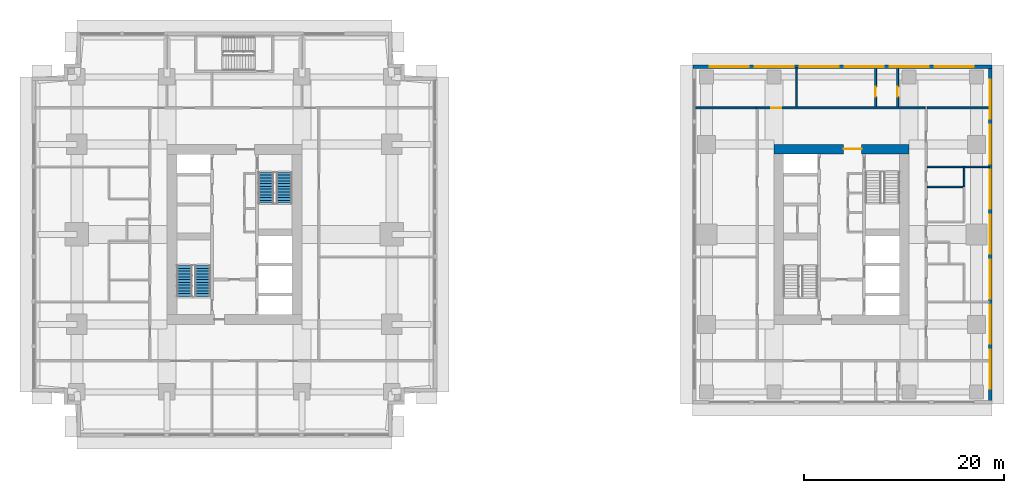
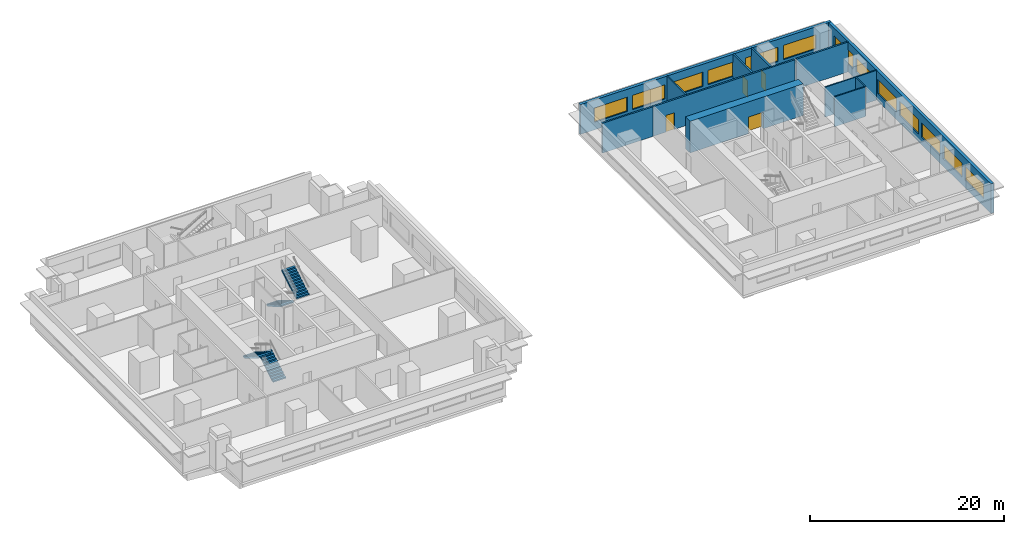
# One storey, part 8 of 11: 13 windows, 12 walls, 4 doors, 4 stair flights, 17 openings, 2 elements without a shape of their own.
"""IFC4 building model written with IfcOpenShell, lengths in metres."""

from ifc_helpers import new_model, si_unit, direction, frame, frame_2d, origin, place, context, subcontext, project, spatial, polyline, rectangle, outline, extrude, material, layer, layer_set, type_object, element, fill, aggregate, save


model = new_model("IFC4")

# Units and contexts
model_context = context("Model", 3, precision=1e-05, world=origin(), true_north=direction((0.0, 1.0)))
body_context = subcontext(model_context, "Body", "Model", "MODEL_VIEW")
ifc_project = project(units=[si_unit("LENGTHUNIT", "METRE"), si_unit("AREAUNIT", "SQUARE_METRE"), si_unit("VOLUMEUNIT", "CUBIC_METRE"), si_unit("PLANEANGLEUNIT", "RADIAN"), si_unit("MASSUNIT", "GRAM", prefix="KILO")], contexts=[model_context])

# Site, building, storey
site_placement = place(None, origin())
site = spatial("IfcSite", under=ifc_project, at=site_placement, CompositionType="ELEMENT")
building_placement = place(site_placement, origin())
building = spatial("IfcBuilding", under=site, at=building_placement, Name="Namib Vertical Campus", CompositionType="ELEMENT")
storey_placement = place(building_placement, frame((0.0, 0.0, 197.0)))
storey = spatial("IfcBuildingStorey", under=building, at=storey_placement, Name="L46", CompositionType="ELEMENT", Elevation=197.0)

# Wall, opening, door
ifc_material_1 = material(Name="Concrete C60/75", Category="concrete")
ifc_layer_1 = layer(ifc_material_1, 0.949951171875)
ifc_layer_set_1 = layer_set([ifc_layer_1], Name="Concrete C60/75")
wall_type_1 = type_object("IfcWallType", Name="Core wall 950", PredefinedType="SHEAR", material=ifc_layer_set_1)
wall_1_placement = place(storey_placement, frame((87.75, 28.77490234375, 0.0), z_axis=(0.0, 0.0, 1.0), x_axis=(-1.0, 0.0, 0.0)))
wall_1 = element("IfcWall", 1, at=wall_1_placement, inside=storey, type_object=wall_type_1, Name="Core wall B L46 3", PredefinedType="SHEAR", context=body_context, shape_type="SweptSolid", body=[
    extrude(rectangle(XDim=13.5, YDim=0.949951171875, at=frame_2d((6.75, 0.0))), origin(), (0.0, 0.0, 1.0), 4.0),
])
opening_1_placement = place(wall_1_placement, frame((4.75, 0.0, 0.0)))
opening_1 = element("IfcOpeningElement", 2, at=opening_1_placement, cuts=wall_1, Name="Opening FD2", PredefinedType="OPENING", context=body_context, shape_type="SweptSolid", body=[
    extrude(rectangle(XDim=1.800048828125, YDim=2.10009765625, at=frame_2d((0.89990234375, 1.050048828125))), frame((0.0, 0.48486328125, 0.0), z_axis=(0.0, -1.0, 0.0), x_axis=(1.0, 0.0, 0.0)), (0.0, 0.0, 1.0), 0.969970703125),
])
ifc_material_2 = material(Name="Steel fire door", Category="steel")
door_type_1 = type_object("IfcDoorType", Name="Fire door double 1800x2100", OperationType="DOUBLE_DOOR_SINGLE_SWING", PredefinedType="DOOR", material=ifc_material_2)
door_1_placement = place(opening_1_placement, origin())
door_1 = element("IfcDoor", 3, at=door_1_placement, inside=storey, type_object=door_type_1, Name="Lift lobby door FD2 B L46", OperationType="DOUBLE_DOOR_SINGLE_SWING", OverallHeight=2.10009765625, OverallWidth=1.800048828125, PredefinedType="DOOR", context=body_context, shape_type="SweptSolid", body=[
    extrude(rectangle(XDim=1.800048828125, YDim=2.10009765625, at=frame_2d((0.89990234375, 1.050048828125))), frame((0.0, 0.02490234375, 0.0), z_axis=(0.0, -1.0, 0.0), x_axis=(1.0, 0.0, 0.0)), (0.0, 0.0, 1.0), 0.050048828125),
])
fill(opening_1, door_1)

ifc_material_3 = material(Name="Concrete masonry", Category="masonry")
ifc_layer_2 = layer(ifc_material_3, 0.199951171875)
ifc_layer_set_2 = layer_set([ifc_layer_2], Name="Corridor wall 200")
wall_type_2 = type_object("IfcWallType", Name="Corridor wall 200", PredefinedType="SOLIDWALL", material=ifc_layer_set_2)
wall_2_placement = place(storey_placement, frame((89.35009765625, 32.89990234375, 0.0), z_axis=(0.0, 0.0, 1.0), x_axis=(-1.0, 0.0, 0.0)))
wall_2 = element("IfcWall", 4, at=wall_2_placement, inside=storey, type_object=wall_type_2, Name="Corridor wall B L46 CN", PredefinedType="SOLIDWALL", context=body_context, shape_type="SweptSolid", body=[
    extrude(rectangle(XDim=16.900146484375, YDim=0.199951171875, at=frame_2d((8.4501953125, 0.0))), origin(), (0.0, 0.0, 1.0), 3.75),
])
opening_2_placement = place(wall_2_placement, frame((14.375, 0.0, 0.0)))
opening_2 = element("IfcOpeningElement", 5, at=opening_2_placement, cuts=wall_2, Name="Opening CD1", PredefinedType="OPENING", context=body_context, shape_type="SweptSolid", body=[
    extrude(rectangle(XDim=1.0, YDim=2.10009765625, at=frame_2d((0.5, 1.050048828125))), frame((0.0, 0.10986328125, 0.0), z_axis=(0.0, -1.0, 0.0), x_axis=(1.0, 0.0, 0.0)), (0.0, 0.0, 1.0), 0.219970703125),
])
ifc_material_4 = material(Name="Timber fire door leaf", Category="wood")
door_type_2 = type_object("IfcDoorType", Name="Corridor door 1000x2100 20 min", OperationType="SINGLE_SWING_LEFT", PredefinedType="DOOR", material=ifc_material_4)
door_2_placement = place(opening_2_placement, frame((1.0, 0.0, 0.0), z_axis=(0.0, 0.0, 1.0), x_axis=(-1.0, 0.0, 0.0)))
door_2 = element("IfcDoor", 6, at=door_2_placement, inside=storey, type_object=door_type_2, Name="Door CD1 B46-11", OperationType="SINGLE_SWING_RIGHT", OverallHeight=2.10009765625, OverallWidth=1.0, PredefinedType="DOOR", context=body_context, shape_type="SweptSolid", body=[
    extrude(rectangle(XDim=1.0, YDim=2.10009765625, at=frame_2d((0.5, 1.050048828125))), frame((0.0, 0.02490234375, 0.0), z_axis=(0.0, -1.0, 0.0), x_axis=(1.0, 0.0, 0.0)), (0.0, 0.0, 1.0), 0.050048828125),
])
fill(opening_2, door_2)

wall_3_placement = place(storey_placement, frame((84.39990234375, 33.0, 0.0), z_axis=(0.0, 0.0, 1.0), x_axis=(0.0, 1.0, 0.0)))
wall_3 = element("IfcWall", 7, at=wall_3_placement, inside=storey, type_object=wall_type_2, Name="Corridor wall B L46 SPN1", PredefinedType="SOLIDWALL", context=body_context, shape_type="SweptSolid", body=[
    extrude(rectangle(XDim=3.89990234375, YDim=0.199951171875, at=frame_2d((1.949951171875, 0.0))), origin(), (0.0, 0.0, 1.0), 3.75),
])
opening_3_placement = place(wall_3_placement, frame((1.0, 0.0, 0.0)))
opening_3 = element("IfcOpeningElement", 8, at=opening_3_placement, cuts=wall_3, Name="Opening CD1", PredefinedType="OPENING", context=body_context, shape_type="SweptSolid", body=[
    extrude(rectangle(XDim=1.0, YDim=2.10009765625, at=frame_2d((0.5, 1.050048828125))), frame((0.0, 0.10986328125, 0.0), z_axis=(0.0, -1.0, 0.0), x_axis=(1.0, 0.0, 0.0)), (0.0, 0.0, 1.0), 0.219970703125),
])
door_3_placement = place(opening_3_placement, origin())
door_3 = element("IfcDoor", 9, at=door_3_placement, inside=storey, type_object=door_type_2, Name="Door CD1 B46-12", OperationType="SINGLE_SWING_LEFT", OverallHeight=2.10009765625, OverallWidth=1.0, PredefinedType="DOOR", context=body_context, shape_type="SweptSolid", body=[
    extrude(rectangle(XDim=1.0, YDim=2.10009765625, at=frame_2d((0.5, 1.050048828125))), frame((0.0, 0.02490234375, 0.0), z_axis=(0.0, -1.0, 0.0), x_axis=(1.0, 0.0, 0.0)), (0.0, 0.0, 1.0), 0.050048828125),
])
fill(opening_3, door_3)

wall_4_placement = place(storey_placement, frame((86.60009765625, 36.89990234375, 0.0), z_axis=(0.0, 0.0, 1.0), x_axis=(0.0, -1.0, 0.0)))
wall_4 = element("IfcWall", 10, at=wall_4_placement, inside=storey, type_object=wall_type_2, Name="Corridor wall B L46 SPN2", PredefinedType="SOLIDWALL", context=body_context, shape_type="SweptSolid", body=[
    extrude(rectangle(XDim=3.89990234375, YDim=0.199951171875, at=frame_2d((1.949951171875, 0.0))), origin(), (0.0, 0.0, 1.0), 3.75),
])
opening_4_placement = place(wall_4_placement, frame((1.89990234375, 0.0, 0.0)))
opening_4 = element("IfcOpeningElement", 11, at=opening_4_placement, cuts=wall_4, Name="Opening CD1", PredefinedType="OPENING", context=body_context, shape_type="SweptSolid", body=[
    extrude(rectangle(XDim=1.0, YDim=2.10009765625, at=frame_2d((0.5, 1.050048828125))), frame((0.0, 0.10986328125, 0.0), z_axis=(0.0, -1.0, 0.0), x_axis=(1.0, 0.0, 0.0)), (0.0, 0.0, 1.0), 0.219970703125),
])
door_4_placement = place(opening_4_placement, origin())
door_4 = element("IfcDoor", 12, at=door_4_placement, inside=storey, type_object=door_type_2, Name="Door CD1 B46-13", OperationType="SINGLE_SWING_RIGHT", OverallHeight=2.10009765625, OverallWidth=1.0, PredefinedType="DOOR", context=body_context, shape_type="SweptSolid", body=[
    extrude(rectangle(XDim=1.0, YDim=2.10009765625, at=frame_2d((0.5, 1.050048828125))), frame((0.0, 0.02490234375, 0.0), z_axis=(0.0, -1.0, 0.0), x_axis=(1.0, 0.0, 0.0)), (0.0, 0.0, 1.0), 0.050048828125),
])
fill(opening_4, door_4)

# Walls
wall_5_placement = place(storey_placement, frame((66.39990234375, 32.89990234375, 0.0), z_axis=(0.0, 0.0, 1.0), x_axis=(1.0, 0.0, 0.0)))
element("IfcWall", 13, at=wall_5_placement, inside=storey, type_object=wall_type_2, Name="Partition B L46 BNW", PredefinedType="SOLIDWALL", context=body_context, shape_type="SweptSolid", body=[
    extrude(rectangle(XDim=6.050048828125, YDim=0.199951171875, at=frame_2d((3.02490234375, 0.0))), origin(), (0.0, 0.0, 1.0), 3.75),
])
wall_6_placement = place(storey_placement, frame((89.550048828125, 32.89990234375, 0.0), z_axis=(0.0, 0.0, 1.0), x_axis=(1.0, 0.0, 0.0)))
element("IfcWall", 14, at=wall_6_placement, inside=storey, type_object=wall_type_2, Name="Partition B L46 BNE", PredefinedType="SOLIDWALL", context=body_context, shape_type="SweptSolid", body=[
    extrude(rectangle(XDim=6.199951171875, YDim=0.199951171875, at=frame_2d((3.10009765625, 0.0))), origin(), (0.0, 0.0, 1.0), 3.75),
])

# Wall, openings, windows
ifc_material_5 = material(Name="Concrete C40/50", Category="concrete")
ifc_layer_3 = layer(ifc_material_5, 0.35009765625)
ifc_layer_set_3 = layer_set([ifc_layer_3], Name="Concrete C40/50")
wall_type_3 = type_object("IfcWallType", Name="External wall 350 bush-hammered concrete", PredefinedType="STANDARD", material=ifc_layer_set_3)
wall_7_placement = place(storey_placement, frame((95.875, 3.320068359375, 0.0), z_axis=(0.0, 0.0, 1.0), x_axis=(0.0, 1.0, 0.0)))
wall_7 = element("IfcWall", 15, at=wall_7_placement, inside=storey, type_object=wall_type_3, Name="External wall L46 F02", PredefinedType="STANDARD", context=body_context, shape_type="SweptSolid", body=[
    extrude(rectangle(XDim=33.85986328125, YDim=0.35009765625, at=frame_2d((16.929931640625, 0.0))), origin(), (0.0, 0.0, 1.0), 3.75),
])
opening_5_placement = place(wall_7_placement, frame((1.47998046875, 0.0, 0.949951171875)))
opening_5 = element("IfcOpeningElement", 16, at=opening_5_placement, cuts=wall_7, Name="Opening W3", PredefinedType="OPENING", context=body_context, shape_type="SweptSolid", body=[
    extrude(rectangle(XDim=3.89990234375, YDim=1.800048828125, at=frame_2d((1.949951171875, 0.89990234375))), frame((0.0, 0.18505859375, 0.0), z_axis=(0.0, -1.0, 0.0), x_axis=(1.0, 0.0, 0.0)), (0.0, 0.0, 1.0), 0.3701171875),
])
opening_6_placement = place(wall_7_placement, frame((5.97998046875, 0.0, 0.949951171875)))
opening_6 = element("IfcOpeningElement", 17, at=opening_6_placement, cuts=wall_7, Name="Opening W3", PredefinedType="OPENING", context=body_context, shape_type="SweptSolid", body=[
    extrude(rectangle(XDim=3.89990234375, YDim=1.800048828125, at=frame_2d((1.949951171875, 0.89990234375))), frame((0.0, 0.18505859375, 0.0), z_axis=(0.0, -1.0, 0.0), x_axis=(1.0, 0.0, 0.0)), (0.0, 0.0, 1.0), 0.3701171875),
])
opening_7_placement = place(wall_7_placement, frame((10.47998046875, 0.0, 0.949951171875)))
opening_7 = element("IfcOpeningElement", 18, at=opening_7_placement, cuts=wall_7, Name="Opening W3", PredefinedType="OPENING", context=body_context, shape_type="SweptSolid", body=[
    extrude(rectangle(XDim=3.89990234375, YDim=1.800048828125, at=frame_2d((1.949951171875, 0.89990234375))), frame((0.0, 0.18505859375, 0.0), z_axis=(0.0, -1.0, 0.0), x_axis=(1.0, 0.0, 0.0)), (0.0, 0.0, 1.0), 0.3701171875),
])
opening_8_placement = place(wall_7_placement, frame((14.97998046875, 0.0, 0.949951171875)))
opening_8 = element("IfcOpeningElement", 19, at=opening_8_placement, cuts=wall_7, Name="Opening W3", PredefinedType="OPENING", context=body_context, shape_type="SweptSolid", body=[
    extrude(rectangle(XDim=3.89990234375, YDim=1.800048828125, at=frame_2d((1.949951171875, 0.89990234375))), frame((0.0, 0.18505859375, 0.0), z_axis=(0.0, -1.0, 0.0), x_axis=(1.0, 0.0, 0.0)), (0.0, 0.0, 1.0), 0.3701171875),
])
opening_9_placement = place(wall_7_placement, frame((19.47998046875, 0.0, 0.949951171875)))
opening_9 = element("IfcOpeningElement", 20, at=opening_9_placement, cuts=wall_7, Name="Opening W3", PredefinedType="OPENING", context=body_context, shape_type="SweptSolid", body=[
    extrude(rectangle(XDim=3.89990234375, YDim=1.800048828125, at=frame_2d((1.949951171875, 0.89990234375))), frame((0.0, 0.18505859375, 0.0), z_axis=(0.0, -1.0, 0.0), x_axis=(1.0, 0.0, 0.0)), (0.0, 0.0, 1.0), 0.3701171875),
])
opening_10_placement = place(wall_7_placement, frame((23.97998046875, 0.0, 0.949951171875)))
opening_10 = element("IfcOpeningElement", 21, at=opening_10_placement, cuts=wall_7, Name="Opening W3", PredefinedType="OPENING", context=body_context, shape_type="SweptSolid", body=[
    extrude(rectangle(XDim=3.89990234375, YDim=1.800048828125, at=frame_2d((1.949951171875, 0.89990234375))), frame((0.0, 0.18505859375, 0.0), z_axis=(0.0, -1.0, 0.0), x_axis=(1.0, 0.0, 0.0)), (0.0, 0.0, 1.0), 0.3701171875),
])
opening_11_placement = place(wall_7_placement, frame((28.47998046875, 0.0, 0.949951171875)))
opening_11 = element("IfcOpeningElement", 22, at=opening_11_placement, cuts=wall_7, Name="Opening W3", PredefinedType="OPENING", context=body_context, shape_type="SweptSolid", body=[
    extrude(rectangle(XDim=3.89990234375, YDim=1.800048828125, at=frame_2d((1.949951171875, 0.89990234375))), frame((0.0, 0.18505859375, 0.0), z_axis=(0.0, -1.0, 0.0), x_axis=(1.0, 0.0, 0.0)), (0.0, 0.0, 1.0), 0.3701171875),
])
ifc_material_6 = material(Name="Dark tinted glass in black aluminium frame", Category="aluminium")
window_type = type_object("IfcWindowType", Name="Ribbon window 3900x1800", PartitioningType="SINGLE_PANEL", PredefinedType="WINDOW", material=ifc_material_6)
window_1_placement = place(opening_5_placement, origin())
window_1 = element("IfcWindow", 23, at=window_1_placement, inside=storey, type_object=window_type, Name="Window W3 L46 F02-1", OverallHeight=1.800048828125, OverallWidth=3.89990234375, PartitioningType="SINGLE_PANEL", PredefinedType="WINDOW", context=body_context, shape_type="SweptSolid", body=[
    extrude(rectangle(XDim=3.89990234375, YDim=1.800048828125, at=frame_2d((1.949951171875, 0.89990234375))), frame((0.0, 0.030029296875, 0.0), z_axis=(0.0, -1.0, 0.0), x_axis=(1.0, 0.0, 0.0)), (0.0, 0.0, 1.0), 0.06005859375),
])
fill(opening_5, window_1)
window_2_placement = place(opening_6_placement, origin())
window_2 = element("IfcWindow", 24, at=window_2_placement, inside=storey, type_object=window_type, Name="Window W3 L46 F02-2", OverallHeight=1.800048828125, OverallWidth=3.89990234375, PartitioningType="SINGLE_PANEL", PredefinedType="WINDOW", context=body_context, shape_type="SweptSolid", body=[
    extrude(rectangle(XDim=3.89990234375, YDim=1.800048828125, at=frame_2d((1.949951171875, 0.89990234375))), frame((0.0, 0.030029296875, 0.0), z_axis=(0.0, -1.0, 0.0), x_axis=(1.0, 0.0, 0.0)), (0.0, 0.0, 1.0), 0.06005859375),
])
fill(opening_6, window_2)
window_3_placement = place(opening_7_placement, origin())
window_3 = element("IfcWindow", 25, at=window_3_placement, inside=storey, type_object=window_type, Name="Window W3 L46 F02-3", OverallHeight=1.800048828125, OverallWidth=3.89990234375, PartitioningType="SINGLE_PANEL", PredefinedType="WINDOW", context=body_context, shape_type="SweptSolid", body=[
    extrude(rectangle(XDim=3.89990234375, YDim=1.800048828125, at=frame_2d((1.949951171875, 0.89990234375))), frame((0.0, 0.030029296875, 0.0), z_axis=(0.0, -1.0, 0.0), x_axis=(1.0, 0.0, 0.0)), (0.0, 0.0, 1.0), 0.06005859375),
])
fill(opening_7, window_3)
window_4_placement = place(opening_8_placement, origin())
window_4 = element("IfcWindow", 26, at=window_4_placement, inside=storey, type_object=window_type, Name="Window W3 L46 F02-4", OverallHeight=1.800048828125, OverallWidth=3.89990234375, PartitioningType="SINGLE_PANEL", PredefinedType="WINDOW", context=body_context, shape_type="SweptSolid", body=[
    extrude(rectangle(XDim=3.89990234375, YDim=1.800048828125, at=frame_2d((1.949951171875, 0.89990234375))), frame((0.0, 0.030029296875, 0.0), z_axis=(0.0, -1.0, 0.0), x_axis=(1.0, 0.0, 0.0)), (0.0, 0.0, 1.0), 0.06005859375),
])
fill(opening_8, window_4)
window_5_placement = place(opening_9_placement, origin())
window_5 = element("IfcWindow", 27, at=window_5_placement, inside=storey, type_object=window_type, Name="Window W3 L46 F02-5", OverallHeight=1.800048828125, OverallWidth=3.89990234375, PartitioningType="SINGLE_PANEL", PredefinedType="WINDOW", context=body_context, shape_type="SweptSolid", body=[
    extrude(rectangle(XDim=3.89990234375, YDim=1.800048828125, at=frame_2d((1.949951171875, 0.89990234375))), frame((0.0, 0.030029296875, 0.0), z_axis=(0.0, -1.0, 0.0), x_axis=(1.0, 0.0, 0.0)), (0.0, 0.0, 1.0), 0.06005859375),
])
fill(opening_9, window_5)
window_6_placement = place(opening_10_placement, origin())
window_6 = element("IfcWindow", 28, at=window_6_placement, inside=storey, type_object=window_type, Name="Window W3 L46 F02-6", OverallHeight=1.800048828125, OverallWidth=3.89990234375, PartitioningType="SINGLE_PANEL", PredefinedType="WINDOW", context=body_context, shape_type="SweptSolid", body=[
    extrude(rectangle(XDim=3.89990234375, YDim=1.800048828125, at=frame_2d((1.949951171875, 0.89990234375))), frame((0.0, 0.030029296875, 0.0), z_axis=(0.0, -1.0, 0.0), x_axis=(1.0, 0.0, 0.0)), (0.0, 0.0, 1.0), 0.06005859375),
])
fill(opening_10, window_6)
window_7_placement = place(opening_11_placement, origin())
window_7 = element("IfcWindow", 29, at=window_7_placement, inside=storey, type_object=window_type, Name="Window W3 L46 F02-7", OverallHeight=1.800048828125, OverallWidth=3.89990234375, PartitioningType="SINGLE_PANEL", PredefinedType="WINDOW", context=body_context, shape_type="SweptSolid", body=[
    extrude(rectangle(XDim=3.89990234375, YDim=1.800048828125, at=frame_2d((1.949951171875, 0.89990234375))), frame((0.0, 0.030029296875, 0.0), z_axis=(0.0, -1.0, 0.0), x_axis=(1.0, 0.0, 0.0)), (0.0, 0.0, 1.0), 0.06005859375),
])
fill(opening_11, window_7)

wall_8_placement = place(storey_placement, frame((96.030029296875, 37.02490234375, 0.0), z_axis=(0.0, 0.0, 1.0), x_axis=(-1.0, 0.0, 0.0)))
wall_8 = element("IfcWall", 30, at=wall_8_placement, inside=storey, type_object=wall_type_3, Name="External wall L46 F03", PredefinedType="STANDARD", context=body_context, shape_type="SweptSolid", body=[
    extrude(rectangle(XDim=29.909912109375, YDim=0.35009765625, at=frame_2d((14.955078125, 0.0))), origin(), (0.0, 0.0, 1.0), 3.75),
])
opening_12_placement = place(wall_8_placement, frame((24.330078125, 0.0, 0.949951171875)))
opening_12 = element("IfcOpeningElement", 31, at=opening_12_placement, cuts=wall_8, Name="Opening W3", PredefinedType="OPENING", context=body_context, shape_type="SweptSolid", body=[
    extrude(rectangle(XDim=3.89990234375, YDim=1.800048828125, at=frame_2d((1.949951171875, 0.89990234375))), frame((0.0, 0.18505859375, 0.0), z_axis=(0.0, -1.0, 0.0), x_axis=(1.0, 0.0, 0.0)), (0.0, 0.0, 1.0), 0.3701171875),
])
opening_13_placement = place(wall_8_placement, frame((19.830078125, 0.0, 0.949951171875)))
opening_13 = element("IfcOpeningElement", 32, at=opening_13_placement, cuts=wall_8, Name="Opening W3", PredefinedType="OPENING", context=body_context, shape_type="SweptSolid", body=[
    extrude(rectangle(XDim=3.89990234375, YDim=1.800048828125, at=frame_2d((1.949951171875, 0.89990234375))), frame((0.0, 0.18505859375, 0.0), z_axis=(0.0, -1.0, 0.0), x_axis=(1.0, 0.0, 0.0)), (0.0, 0.0, 1.0), 0.3701171875),
])
opening_14_placement = place(wall_8_placement, frame((15.330078125, 0.0, 0.949951171875)))
opening_14 = element("IfcOpeningElement", 33, at=opening_14_placement, cuts=wall_8, Name="Opening W3", PredefinedType="OPENING", context=body_context, shape_type="SweptSolid", body=[
    extrude(rectangle(XDim=3.89990234375, YDim=1.800048828125, at=frame_2d((1.949951171875, 0.89990234375))), frame((0.0, 0.18505859375, 0.0), z_axis=(0.0, -1.0, 0.0), x_axis=(1.0, 0.0, 0.0)), (0.0, 0.0, 1.0), 0.3701171875),
])
opening_15_placement = place(wall_8_placement, frame((10.830078125, 0.0, 0.949951171875)))
opening_15 = element("IfcOpeningElement", 34, at=opening_15_placement, cuts=wall_8, Name="Opening W3", PredefinedType="OPENING", context=body_context, shape_type="SweptSolid", body=[
    extrude(rectangle(XDim=3.89990234375, YDim=1.800048828125, at=frame_2d((1.949951171875, 0.89990234375))), frame((0.0, 0.18505859375, 0.0), z_axis=(0.0, -1.0, 0.0), x_axis=(1.0, 0.0, 0.0)), (0.0, 0.0, 1.0), 0.3701171875),
])
opening_16_placement = place(wall_8_placement, frame((6.330078125, 0.0, 0.949951171875)))
opening_16 = element("IfcOpeningElement", 35, at=opening_16_placement, cuts=wall_8, Name="Opening W3", PredefinedType="OPENING", context=body_context, shape_type="SweptSolid", body=[
    extrude(rectangle(XDim=3.89990234375, YDim=1.800048828125, at=frame_2d((1.949951171875, 0.89990234375))), frame((0.0, 0.18505859375, 0.0), z_axis=(0.0, -1.0, 0.0), x_axis=(1.0, 0.0, 0.0)), (0.0, 0.0, 1.0), 0.3701171875),
])
opening_17_placement = place(wall_8_placement, frame((1.830078125, 0.0, 0.949951171875)))
opening_17 = element("IfcOpeningElement", 36, at=opening_17_placement, cuts=wall_8, Name="Opening W3", PredefinedType="OPENING", context=body_context, shape_type="SweptSolid", body=[
    extrude(rectangle(XDim=3.89990234375, YDim=1.800048828125, at=frame_2d((1.949951171875, 0.89990234375))), frame((0.0, 0.18505859375, 0.0), z_axis=(0.0, -1.0, 0.0), x_axis=(1.0, 0.0, 0.0)), (0.0, 0.0, 1.0), 0.3701171875),
])
window_8_placement = place(opening_12_placement, origin())
window_8 = element("IfcWindow", 37, at=window_8_placement, inside=storey, type_object=window_type, Name="Window W3 L46 F03-1", OverallHeight=1.800048828125, OverallWidth=3.89990234375, PartitioningType="SINGLE_PANEL", PredefinedType="WINDOW", context=body_context, shape_type="SweptSolid", body=[
    extrude(rectangle(XDim=3.89990234375, YDim=1.800048828125, at=frame_2d((1.949951171875, 0.89990234375))), frame((0.0, 0.030029296875, 0.0), z_axis=(0.0, -1.0, 0.0), x_axis=(1.0, 0.0, 0.0)), (0.0, 0.0, 1.0), 0.06005859375),
])
fill(opening_12, window_8)
window_9_placement = place(opening_13_placement, origin())
window_9 = element("IfcWindow", 38, at=window_9_placement, inside=storey, type_object=window_type, Name="Window W3 L46 F03-2", OverallHeight=1.800048828125, OverallWidth=3.89990234375, PartitioningType="SINGLE_PANEL", PredefinedType="WINDOW", context=body_context, shape_type="SweptSolid", body=[
    extrude(rectangle(XDim=3.89990234375, YDim=1.800048828125, at=frame_2d((1.949951171875, 0.89990234375))), frame((0.0, 0.030029296875, 0.0), z_axis=(0.0, -1.0, 0.0), x_axis=(1.0, 0.0, 0.0)), (0.0, 0.0, 1.0), 0.06005859375),
])
fill(opening_13, window_9)
window_10_placement = place(opening_14_placement, origin())
window_10 = element("IfcWindow", 39, at=window_10_placement, inside=storey, type_object=window_type, Name="Window W3 L46 F03-3", OverallHeight=1.800048828125, OverallWidth=3.89990234375, PartitioningType="SINGLE_PANEL", PredefinedType="WINDOW", context=body_context, shape_type="SweptSolid", body=[
    extrude(rectangle(XDim=3.89990234375, YDim=1.800048828125, at=frame_2d((1.949951171875, 0.89990234375))), frame((0.0, 0.030029296875, 0.0), z_axis=(0.0, -1.0, 0.0), x_axis=(1.0, 0.0, 0.0)), (0.0, 0.0, 1.0), 0.06005859375),
])
fill(opening_14, window_10)
window_11_placement = place(opening_15_placement, origin())
window_11 = element("IfcWindow", 40, at=window_11_placement, inside=storey, type_object=window_type, Name="Window W3 L46 F03-4", OverallHeight=1.800048828125, OverallWidth=3.89990234375, PartitioningType="SINGLE_PANEL", PredefinedType="WINDOW", context=body_context, shape_type="SweptSolid", body=[
    extrude(rectangle(XDim=3.89990234375, YDim=1.800048828125, at=frame_2d((1.949951171875, 0.89990234375))), frame((0.0, 0.030029296875, 0.0), z_axis=(0.0, -1.0, 0.0), x_axis=(1.0, 0.0, 0.0)), (0.0, 0.0, 1.0), 0.06005859375),
])
fill(opening_15, window_11)
window_12_placement = place(opening_16_placement, origin())
window_12 = element("IfcWindow", 41, at=window_12_placement, inside=storey, type_object=window_type, Name="Window W3 L46 F03-5", OverallHeight=1.800048828125, OverallWidth=3.89990234375, PartitioningType="SINGLE_PANEL", PredefinedType="WINDOW", context=body_context, shape_type="SweptSolid", body=[
    extrude(rectangle(XDim=3.89990234375, YDim=1.800048828125, at=frame_2d((1.949951171875, 0.89990234375))), frame((0.0, 0.030029296875, 0.0), z_axis=(0.0, -1.0, 0.0), x_axis=(1.0, 0.0, 0.0)), (0.0, 0.0, 1.0), 0.06005859375),
])
fill(opening_16, window_12)
window_13_placement = place(opening_17_placement, origin())
window_13 = element("IfcWindow", 42, at=window_13_placement, inside=storey, type_object=window_type, Name="Window W3 L46 F03-6", OverallHeight=1.800048828125, OverallWidth=3.89990234375, PartitioningType="SINGLE_PANEL", PredefinedType="WINDOW", context=body_context, shape_type="SweptSolid", body=[
    extrude(rectangle(XDim=3.89990234375, YDim=1.800048828125, at=frame_2d((1.949951171875, 0.89990234375))), frame((0.0, 0.030029296875, 0.0), z_axis=(0.0, -1.0, 0.0), x_axis=(1.0, 0.0, 0.0)), (0.0, 0.0, 1.0), 0.06005859375),
])
fill(opening_17, window_13)

# Walls
ifc_material_7 = material(Name="Gypsum board on steel studs", Category="steel")
ifc_layer_4 = layer(ifc_material_7, 0.14990234375)
ifc_layer_set_4 = layer_set([ifc_layer_4], Name="Gypsum board on steel studs")
wall_type_4 = type_object("IfcWallType", Name="Partition 150", PredefinedType="PARTITIONING", material=ifc_layer_set_4)
wall_9_placement = place(storey_placement, frame((76.5, 33.0, 0.0), z_axis=(0.0, 0.0, 1.0), x_axis=(0.0, 1.0, 0.0)))
element("IfcWall", 43, at=wall_9_placement, inside=storey, type_object=wall_type_4, Name="Partition B L46 PN1", PredefinedType="PARTITIONING", context=body_context, shape_type="SweptSolid", body=[
    extrude(rectangle(XDim=3.89990234375, YDim=0.14990234375, at=frame_2d((1.949951171875, 0.0))), origin(), (0.0, 0.0, 1.0), 3.75),
])
wall_10_placement = place(storey_placement, frame((89.550048828125, 27.0, 0.0), z_axis=(0.0, 0.0, 1.0), x_axis=(1.0, 0.0, 0.0)))
element("IfcWall", 44, at=wall_10_placement, inside=storey, type_object=wall_type_4, Name="Partition B L46 PE2", PredefinedType="PARTITIONING", context=body_context, shape_type="SweptSolid", body=[
    extrude(rectangle(XDim=6.199951171875, YDim=0.14990234375, at=frame_2d((3.10009765625, 0.0))), origin(), (0.0, 0.0, 1.0), 3.75),
])
wall_11_placement = place(storey_placement, frame((89.550048828125, 25.0, 0.0), z_axis=(0.0, 0.0, 1.0), x_axis=(1.0, 0.0, 0.0)))
element("IfcWall", 45, at=wall_11_placement, inside=storey, type_object=wall_type_4, Name="Partition B L46 WR4", PredefinedType="PARTITIONING", context=body_context, shape_type="SweptSolid", body=[
    extrude(rectangle(XDim=3.699951171875, YDim=0.14990234375, at=frame_2d((1.85009765625, 0.0))), origin(), (0.0, 0.0, 1.0), 3.75),
])
wall_12_placement = place(storey_placement, frame((93.25, 25.0, 0.0), z_axis=(0.0, 0.0, 1.0), x_axis=(0.0, 1.0, 0.0)))
element("IfcWall", 46, at=wall_12_placement, inside=storey, type_object=wall_type_4, Name="Partition B L46 WB4", PredefinedType="PARTITIONING", context=body_context, shape_type="SweptSolid", body=[
    extrude(rectangle(XDim=2.0, YDim=0.14990234375, at=frame_2d((1.0, 0.0))), origin(), (0.0, 0.0, 1.0), 3.75),
])

# Stair, stair flights
ifc_material_8 = material(Name="Concrete C40/50 precast", Category="concrete")
stair_type = type_object("IfcStairType", Name="Exit stair 4000 rise 24 risers 3350 wide", PredefinedType="HALF_TURN_STAIR", material=ifc_material_8)
stair_1_placement = place(storey_placement, origin())
stair_1 = element("IfcStair", 47, at=stair_1_placement, inside=storey, type_object=stair_type, Name="Exit stair A-S1 L46", PredefinedType="HALF_TURN_STAIR")
ifc_material_9 = material(Name="Concrete C40/50 precast", Category="concrete")
stair_flight_type = type_object("IfcStairFlightType", Name="Stair flight 12 risers 167 1525 wide", PredefinedType="STRAIGHT", material=ifc_material_9)
stair_flight_1_placement = place(storey_placement, frame((17.08740234375, 14.050048828125, 0.0), z_axis=(0.0, 0.0, 1.0), x_axis=(0.0, 1.0, 0.0)))
stair_flight_1 = element("IfcStairFlight", 48, at=stair_flight_1_placement, type_object=stair_flight_type, Name="A-S1 flight 1", NumberOfRisers=12, NumberOfTreads=11, PredefinedType="STRAIGHT", RiserHeight=0.166666667, TreadLength=0.28, context=body_context, shape_type="SweptSolid", body=[
    extrude(outline(polyline([(0.0, 0.0), (0.0, 0.166748046875), (0.280029296875, 0.166748046875), (0.280029296875, 0.333251953125), (0.56005859375, 0.333251953125), (0.56005859375, 0.5), (0.840087890625, 0.5), (0.840087890625, 0.666748046875), (1.1201171875, 0.666748046875), (1.1201171875, 0.833251953125), (1.39990234375, 0.833251953125), (1.39990234375, 1.0), (1.679931640625, 1.0), (1.679931640625, 1.166748046875), (1.9599609375, 1.166748046875), (1.9599609375, 1.333251953125), (2.239990234375, 1.333251953125), (2.239990234375, 1.5), (2.52001953125, 1.5), (2.52001953125, 1.666748046875), (2.800048828125, 1.666748046875), (2.800048828125, 1.833251953125), (3.080078125, 1.833251953125), (3.080078125, 2.0), (3.080078125, 1.658935546875), (0.29296875, 0.0), (0.0, 0.0)])), frame((0.0, 0.762451171875, 0.0), z_axis=(0.0, -1.0, 0.0), x_axis=(1.0, 0.0, 0.0)), (0.0, 0.0, 1.0), 1.52490234375),
])
stair_flight_2_placement = place(storey_placement, frame((15.262451171875, 17.1298828125, 2.0), z_axis=(0.0, 0.0, 1.0), x_axis=(0.0, -1.0, 0.0)))
stair_flight_2 = element("IfcStairFlight", 49, at=stair_flight_2_placement, type_object=stair_flight_type, Name="A-S1 flight 2", NumberOfRisers=12, NumberOfTreads=11, PredefinedType="STRAIGHT", RiserHeight=0.166666667, TreadLength=0.28, context=body_context, shape_type="SweptSolid", body=[
    extrude(outline(polyline([(0.0, 0.0), (0.0, 0.166748046875), (0.280029296875, 0.166748046875), (0.280029296875, 0.333251953125), (0.56005859375, 0.333251953125), (0.56005859375, 0.5), (0.840087890625, 0.5), (0.840087890625, 0.666748046875), (1.1201171875, 0.666748046875), (1.1201171875, 0.833251953125), (1.39990234375, 0.833251953125), (1.39990234375, 1.0), (1.679931640625, 1.0), (1.679931640625, 1.166748046875), (1.9599609375, 1.166748046875), (1.9599609375, 1.333251953125), (2.239990234375, 1.333251953125), (2.239990234375, 1.5), (2.52001953125, 1.5), (2.52001953125, 1.666748046875), (2.800048828125, 1.666748046875), (2.800048828125, 1.833251953125), (3.080078125, 1.833251953125), (3.080078125, 2.0), (3.080078125, 1.658935546875), (0.29296875, 0.0), (0.0, 0.0)])), frame((0.0, 0.762451171875, 0.0), z_axis=(0.0, -1.0, 0.0), x_axis=(1.0, 0.0, 0.0)), (0.0, 0.0, 1.0), 1.52490234375),
])
aggregate(stair_1, [stair_flight_1, stair_flight_2])

stair_2_placement = place(storey_placement, origin())
stair_2 = element("IfcStair", 50, at=stair_2_placement, inside=storey, type_object=stair_type, Name="Exit stair A-S2 L46", PredefinedType="HALF_TURN_STAIR")
stair_flight_3_placement = place(storey_placement, frame((23.41259765625, 26.449951171875, 0.0), z_axis=(0.0, 0.0, 1.0), x_axis=(0.0, -1.0, 0.0)))
stair_flight_3 = element("IfcStairFlight", 51, at=stair_flight_3_placement, type_object=stair_flight_type, Name="A-S2 flight 1", NumberOfRisers=12, NumberOfTreads=11, PredefinedType="STRAIGHT", RiserHeight=0.166666667, TreadLength=0.28, context=body_context, shape_type="SweptSolid", body=[
    extrude(outline(polyline([(0.0, 0.0), (0.0, 0.166748046875), (0.280029296875, 0.166748046875), (0.280029296875, 0.333251953125), (0.56005859375, 0.333251953125), (0.56005859375, 0.5), (0.840087890625, 0.5), (0.840087890625, 0.666748046875), (1.1201171875, 0.666748046875), (1.1201171875, 0.833251953125), (1.39990234375, 0.833251953125), (1.39990234375, 1.0), (1.679931640625, 1.0), (1.679931640625, 1.166748046875), (1.9599609375, 1.166748046875), (1.9599609375, 1.333251953125), (2.239990234375, 1.333251953125), (2.239990234375, 1.5), (2.52001953125, 1.5), (2.52001953125, 1.666748046875), (2.800048828125, 1.666748046875), (2.800048828125, 1.833251953125), (3.080078125, 1.833251953125), (3.080078125, 2.0), (3.080078125, 1.658935546875), (0.29296875, 0.0), (0.0, 0.0)])), frame((0.0, 0.762451171875, 0.0), z_axis=(0.0, -1.0, 0.0), x_axis=(1.0, 0.0, 0.0)), (0.0, 0.0, 1.0), 1.52490234375),
])
stair_flight_4_placement = place(storey_placement, frame((25.237548828125, 23.3701171875, 2.0), z_axis=(0.0, 0.0, 1.0), x_axis=(0.0, 1.0, 0.0)))
stair_flight_4 = element("IfcStairFlight", 52, at=stair_flight_4_placement, type_object=stair_flight_type, Name="A-S2 flight 2", NumberOfRisers=12, NumberOfTreads=11, PredefinedType="STRAIGHT", RiserHeight=0.166666667, TreadLength=0.28, context=body_context, shape_type="SweptSolid", body=[
    extrude(outline(polyline([(0.0, 0.0), (0.0, 0.166748046875), (0.280029296875, 0.166748046875), (0.280029296875, 0.333251953125), (0.56005859375, 0.333251953125), (0.56005859375, 0.5), (0.840087890625, 0.5), (0.840087890625, 0.666748046875), (1.1201171875, 0.666748046875), (1.1201171875, 0.833251953125), (1.39990234375, 0.833251953125), (1.39990234375, 1.0), (1.679931640625, 1.0), (1.679931640625, 1.166748046875), (1.9599609375, 1.166748046875), (1.9599609375, 1.333251953125), (2.239990234375, 1.333251953125), (2.239990234375, 1.5), (2.52001953125, 1.5), (2.52001953125, 1.666748046875), (2.800048828125, 1.666748046875), (2.800048828125, 1.833251953125), (3.080078125, 1.833251953125), (3.080078125, 2.0), (3.080078125, 1.658935546875), (0.29296875, 0.0), (0.0, 0.0)])), frame((0.0, 0.762451171875, 0.0), z_axis=(0.0, -1.0, 0.0), x_axis=(1.0, 0.0, 0.0)), (0.0, 0.0, 1.0), 1.52490234375),
])
aggregate(stair_2, [stair_flight_3, stair_flight_4])

save(model, "model.ifc")
